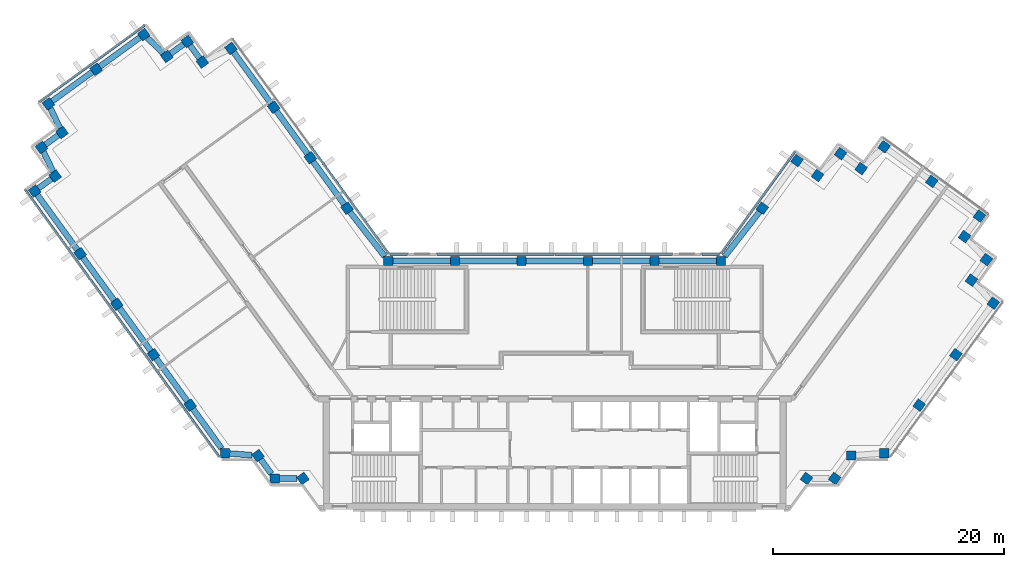
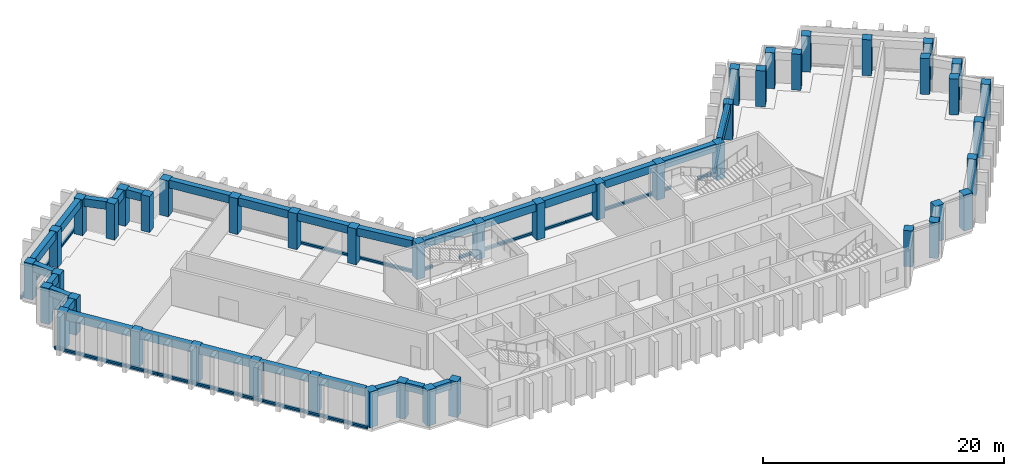
"""IFC4 building model written with IfcOpenShell, lengths in metres."""

from ifc_helpers import new_model, si_unit, direction, frame, origin, origin_2d, place, context, subcontext, project, spatial, rectangle, extrude, material, material_profile, profile_set, type_object, element, aggregate, save


model = new_model("IFC4")

# Units and contexts
model_context = context("Model", 3, precision=1e-05, world=origin(), true_north=direction((0.0, 1.0)))
body_context = subcontext(model_context, "Body", "Model", "MODEL_VIEW")
ifc_project = project(units=[si_unit("LENGTHUNIT", "METRE"), si_unit("AREAUNIT", "SQUARE_METRE"), si_unit("VOLUMEUNIT", "CUBIC_METRE"), si_unit("PLANEANGLEUNIT", "RADIAN"), si_unit("MASSUNIT", "GRAM", prefix="KILO")], contexts=[model_context])

# Site, building, storey
site_placement = place(None, origin())
site = spatial("IfcSite", under=ifc_project, at=site_placement, CompositionType="ELEMENT")
building_placement = place(site_placement, origin())
building = spatial("IfcBuilding", under=site, at=building_placement, Name="Quipu Civic Tower", CompositionType="ELEMENT")
storey_1_placement = place(building_placement, frame((0.0, 0.0, 218.0)))
storey_1 = spatial("IfcBuildingStorey", under=building, at=storey_1_placement, Name="L51", CompositionType="ELEMENT", Elevation=218.0)

# Columns
ifc_material_1 = material(Name="Concrete C50/60", Category="concrete")
ifc_material_profile_1 = material_profile(ifc_material_1, rectangle(XDim=0.800048828125, YDim=0.800048828125, at=origin_2d()), Name="RC800x800")
ifc_profile_set_1 = profile_set([ifc_material_profile_1], Name="Concrete C50/60")
column_type = type_object("IfcColumnType", Name="Perimeter column RC 800x800 C50/60", PredefinedType="COLUMN", material=ifc_profile_set_1)
for number, where, z_axis, x_axis, name in (
    (1, (-17.9736328125, 15.074951171875, 0.0), (0.0, 0.0, 1.0), (-0.587785252292, 0.809016994375, 0.0), "Column L51 W-IN-01"),
    (2, (-21.1474609375, 19.44384765625, 0.0), (0.0, 0.0, 1.0), (-0.587785252292, 0.809016994375, 0.0), "Column L51 W-IN-02"),
    (3, (-24.3212890625, 23.8125, 0.0), (0.0, 0.0, 1.0), (-0.587785252292, 0.809016994375, 0.0), "Column L51 W-IN-03"),
    (4, (-28.02001953125, 28.905029296875, 0.0), (0.0, 0.0, 1.0), (-0.809016994375, -0.587785252292, 0.0), "Column L51 T-Wi.0-W34"),
    (5, (-30.498779296875, 27.72265625, 0.0), (0.0, 0.0, 1.0), (-0.809016994375, -0.587785252292, 0.0), "Column L51 T-Wi.1-W34"),
    (6, (-31.794921875, 29.5, 0.0), (0.0, 0.0, 1.0), (-0.587785252292, 0.809016994375, 0.0), "Column L51 T-Wi.2-W34"),
    (7, (-33.573974609375, 28.20947265625, 0.0), (0.0, 0.0, 1.0), (-0.587785252292, 0.809016994375, 0.0), "Column L51 T-Wi.3-W34"),
    (8, (-35.56494140625, 30.10009765625, 0.0), (0.0, 0.0, 1.0), (-0.809016994375, -0.587785252292, 0.0), "Column L51 T-Wi.4-W34"),
    (9, (-39.690673828125, 27.10205078125, 0.0), (0.0, 0.0, 1.0), (-0.809016994375, -0.587785252292, 0.0), "Column L51 TIP-W-01-W34"),
    (10, (-43.81494140625, 24.10498046875, 0.0), (0.0, 0.0, 1.0), (-0.809016994375, -0.587785252292, 0.0), "Column L51 T-Wo.0-W34"),
    (11, (-42.635009765625, 21.626220703125, 0.0), (0.0, 0.0, 1.0), (-0.809016994375, -0.587785252292, 0.0), "Column L51 T-Wo.1-W34"),
    (12, (-44.4150390625, 20.3349609375, 0.0), (0.0, 0.0, 1.0), (0.587785252292, -0.809016994375, 0.0), "Column L51 T-Wo.2-W34"),
    (13, (-43.23095703125, 17.8544921875, 0.0), (0.0, 0.0, 1.0), (0.587785252292, -0.809016994375, 0.0), "Column L51 T-Wo.3-W34"),
    (14, (-45.010009765625, 16.56005859375, 0.0), (0.0, 0.0, 1.0), (0.587785252292, -0.809016994375, 0.0), "Column L51 T-Wo.4-W34"),
    (15, (-41.0703125, 11.137451171875, 0.0), (0.0, 0.0, 1.0), (0.587785252292, -0.809016994375, 0.0), "Column L51 W-OUT-04"),
    (16, (-37.896240234375, 6.768798828125, 0.0), (0.0, 0.0, 1.0), (0.587785252292, -0.809016994375, 0.0), "Column L51 W-OUT-03"),
    (17, (-34.722412109375, 2.39990234375, 0.0), (0.0, 0.0, 1.0), (0.587785252292, -0.809016994375, 0.0), "Column L51 W-OUT-02"),
    (18, (-31.54833984375, -1.96875, 0.0), (0.0, 0.0, 1.0), (0.587785252292, -0.809016994375, 0.0), "Column L51 W-OUT-01"),
    (19, (-28.52490234375, -6.1298828125, 0.0), (0.0, 0.0, 1.0), (1.0, 0.0, 0.0), "Column L51 J-Wo.0"),
    (20, (-25.67431640625, -6.3369140625, 0.0), (0.0, 0.0, 1.0), (0.587785252292, -0.809016994375, 0.0), "Column L51 J-Wo.1"),
    (21, (-24.235107421875, -8.31494140625, 0.0), (0.0, 0.0, 1.0), (1.0, 0.0, 0.0), "Column L51 J-Wo.2"),
    (22, (-21.791748046875, -8.31494140625, 0.0), (0.0, 0.0, 1.0), (0.587785252292, -0.809016994375, 0.0), "Column L51 J-Wo.3"),
    (23, (21.791748046875, -8.31494140625, 0.0), (0.0, 0.0, 1.0), (0.587785252292, 0.809016994375, 0.0), "Column L51 J-Eo.1"),
    (24, (24.235107421875, -8.31494140625, 0.0), (0.0, 0.0, 1.0), (0.587785252292, 0.809016994375, 0.0), "Column L51 J-Eo.2"),
    (25, (25.67431640625, -6.3369140625, 0.0), (0.0, 0.0, 1.0), (1.0, 0.0, 0.0), "Column L51 J-Eo.3"),
    (26, (28.52490234375, -6.1298828125, 0.0), (0.0, 0.0, 1.0), (1.0, 0.0, 0.0), "Column L51 J-Eo.4"),
    (27, (31.54833984375, -1.96875, 0.0), (0.0, 0.0, 1.0), (0.587785252292, 0.809016994375, 0.0), "Column L51 E-OUT-01"),
    (28, (34.722412109375, 2.39990234375, 0.0), (0.0, 0.0, 1.0), (0.587785252292, 0.809016994375, 0.0), "Column L51 E-OUT-02"),
    (29, (37.9599609375, 6.85498046875, 0.0), (0.0, 0.0, 1.0), (0.587785252292, 0.809016994375, 0.0), "Column L51 T-Eo.0-E22"),
    (30, (36.068115234375, 8.843994140625, 0.0), (0.0, 0.0, 1.0), (0.587785252292, 0.809016994375, 0.0), "Column L51 T-Eo.1-E22"),
    (31, (37.360107421875, 10.625, 0.0), (0.0, 0.0, 1.0), (0.587785252292, 0.809016994375, 0.0), "Column L51 T-Eo.2-E22"),
    (32, (35.470703125, 12.616455078125, 0.0), (0.0, 0.0, 1.0), (-0.809016994375, 0.587785252292, 0.0), "Column L51 T-Eo.3-E22"),
    (33, (36.764892578125, 14.39501953125, 0.0), (0.0, 0.0, 1.0), (-0.809016994375, 0.587785252292, 0.0), "Column L51 T-Eo.4-E22"),
    (34, (32.636962890625, 17.39306640625, 0.0), (0.0, 0.0, 1.0), (-0.809016994375, 0.587785252292, 0.0), "Column L51 TIP-E-01-E22"),
    (35, (28.510009765625, 20.389892578125, 0.0), (0.0, 0.0, 1.0), (-0.587785252292, -0.809016994375, 0.0), "Column L51 T-Ei.0-E22"),
    (36, (26.51904296875, 18.50048828125, 0.0), (0.0, 0.0, 1.0), (-0.809016994375, 0.587785252292, 0.0), "Column L51 T-Ei.1-E22"),
    (37, (24.739990234375, 19.794921875, 0.0), (0.0, 0.0, 1.0), (-0.587785252292, -0.809016994375, 0.0), "Column L51 T-Ei.2-E22"),
    (38, (22.749267578125, 17.904296875, 0.0), (0.0, 0.0, 1.0), (-0.587785252292, -0.809016994375, 0.0), "Column L51 T-Ei.3-E22"),
    (39, (20.969970703125, 19.195068359375, 0.0), (0.0, 0.0, 1.0), (-0.587785252292, -0.809016994375, 0.0), "Column L51 T-Ei.4-E22"),
    (40, (17.9736328125, 15.074951171875, 0.0), (0.0, 0.0, 1.0), (-0.587785252292, -0.809016994375, 0.0), "Column L51 E-IN-01"),
    (41, (14.395263671875, 10.5, 0.0), (0.0, 0.0, 1.0), (-1.0, 0.0, 0.0), "Column L51 J-Ei.0"),
    (42, (8.63720703125, 10.5, 0.0), (0.0, 0.0, 1.0), (-1.0, 0.0, 0.0), "Column L51 FRONT-01"),
    (43, (2.87890625, 10.5, 0.0), (0.0, 0.0, 1.0), (-1.0, 0.0, 0.0), "Column L51 FRONT-02"),
    (44, (-2.87890625, 10.5, 0.0), (0.0, 0.0, 1.0), (-1.0, 0.0, 0.0), "Column L51 FRONT-03"),
    (45, (-8.63720703125, 10.5, 0.0), (0.0, 0.0, 1.0), (-1.0, 0.0, 0.0), "Column L51 FRONT-04"),
    (46, (-14.395263671875, 10.5, 0.0), (0.0, 0.0, 1.0), (-1.0, 0.0, 0.0), "Column L51 J-Wi.0"),
):
    element("IfcColumn", number, at=place(storey_1_placement, frame(where, z_axis=z_axis, x_axis=x_axis)), inside=storey_1, type_object=column_type, Name=name, PredefinedType="COLUMN", context=body_context, shape_type="SweptSolid", body=[
        extrude(rectangle(XDim=0.800048828125, YDim=0.800048828125, at=origin_2d()), origin(), (0.0, 0.0, 1.0), 3.64990234375),
    ])

# Beams
ifc_material_2 = material(Name="Concrete C50/60", Category="concrete")
ifc_material_profile_2 = material_profile(ifc_material_2, rectangle(XDim=0.5, YDim=0.800048828125, at=origin_2d()), Name="RC500x800")
ifc_profile_set_2 = profile_set([ifc_material_profile_2], Name="Concrete C50/60")
beam_type = type_object("IfcBeamType", Name="Spandrel beam RC 500x800 C50/60", PredefinedType="SPANDREL", material=ifc_profile_set_2)
beam_1_placement = place(storey_1_placement, frame((-18.208740234375, 15.398681640625, 3.25), z_axis=(-0.58776136044, 0.809034352283, 0.0), x_axis=(-0.809034352283, -0.58776136044, 0.0)))
element("IfcBeam", 47, at=beam_1_placement, inside=storey_1, type_object=beam_type, Name="Spandrel beam L51 W-IN-01 to W-IN-02", PredefinedType="SPANDREL", context=body_context, shape_type="SweptSolid", body=[
    extrude(rectangle(XDim=0.5, YDim=0.800048828125, at=origin_2d()), origin(), (0.0, 0.0, 1.0), 4.599853515625),
])
beam_2_placement = place(storey_1_placement, frame((-21.382568359375, 19.767333984375, 3.25), z_axis=(-0.587736122681, 0.809052686848, 0.0), x_axis=(-0.809052686848, -0.587736122681, 0.0)))
element("IfcBeam", 48, at=beam_2_placement, inside=storey_1, type_object=beam_type, Name="Spandrel beam L51 W-IN-02 to W-IN-03", PredefinedType="SPANDREL", context=body_context, shape_type="SweptSolid", body=[
    extrude(rectangle(XDim=0.5, YDim=0.800048828125, at=origin_2d()), origin(), (0.0, 0.0, 1.0), 4.60009765625),
])
beam_3_placement = place(storey_1_placement, frame((-24.556396484375, 24.13623046875, 3.25), z_axis=(-0.587664254196, 0.809104890815, 0.0), x_axis=(-0.809104890815, -0.587664254196, 0.0)))
element("IfcBeam", 49, at=beam_3_placement, inside=storey_1, type_object=beam_type, Name="Spandrel beam L51 W-IN-03 to T-Wi.0-W34", PredefinedType="SPANDREL", context=body_context, shape_type="SweptSolid", body=[
    extrude(rectangle(XDim=0.5, YDim=0.800048828125, at=origin_2d()), origin(), (0.0, 0.0, 1.0), 5.493896484375),
])
beam_4_placement = place(storey_1_placement, frame((-30.734375, 28.0458984375, 3.25), z_axis=(-0.589342949835, 0.80788296645, 0.0), x_axis=(-0.80788296645, -0.589342949835, 0.0)))
element("IfcBeam", 50, at=beam_4_placement, inside=storey_1, type_object=beam_type, Name="Spandrel beam L51 T-Wi.1-W34 to T-Wi.2-W34", PredefinedType="SPANDREL", context=body_context, shape_type="SweptSolid", body=[
    extrude(rectangle(XDim=0.5, YDim=0.800048828125, at=origin_2d()), origin(), (0.0, 0.0, 1.0), 1.39990234375),
])
beam_5_placement = place(storey_1_placement, frame((-32.118896484375, 29.26513671875, 3.25), z_axis=(-0.80941533633, -0.587236590578, 0.0), x_axis=(0.587236590578, -0.80941533633, 0.0)))
element("IfcBeam", 51, at=beam_5_placement, inside=storey_1, type_object=beam_type, Name="Spandrel beam L51 T-Wi.2-W34 to T-Wi.3-W34", PredefinedType="SPANDREL", context=body_context, shape_type="SweptSolid", body=[
    extrude(rectangle(XDim=0.5, YDim=0.800048828125, at=origin_2d()), origin(), (0.0, 0.0, 1.0), 1.397705078125),
])
beam_6_placement = place(storey_1_placement, frame((-33.868896484375, 28.489501953125, 3.25), z_axis=(-0.72519185421, 0.68854685722, 0.0), x_axis=(-0.68854685722, -0.72519185421, 0.0)))
element("IfcBeam", 52, at=beam_6_placement, inside=storey_1, type_object=beam_type, Name="Spandrel beam L51 T-Wi.3-W34 to T-Wi.4-W34", PredefinedType="SPANDREL", context=body_context, shape_type="SweptSolid", body=[
    extrude(rectangle(XDim=0.5, YDim=0.800048828125, at=origin_2d()), origin(), (0.0, 0.0, 1.0), 1.93212890625),
])
beam_7_placement = place(storey_1_placement, frame((-35.888671875, 29.86474609375, 3.25), z_axis=(-0.808983997561, -0.58783066583, 0.0), x_axis=(0.58783066583, -0.808983997561, 0.0)))
element("IfcBeam", 53, at=beam_7_placement, inside=storey_1, type_object=beam_type, Name="Spandrel beam L51 T-Wi.4-W34 to TIP-W-01-W34", PredefinedType="SPANDREL", context=body_context, shape_type="SweptSolid", body=[
    extrude(rectangle(XDim=0.5, YDim=0.800048828125, at=origin_2d()), origin(), (0.0, 0.0, 1.0), 4.2998046875),
])
beam_8_placement = place(storey_1_placement, frame((-40.014404296875, 26.866943359375, 3.25), z_axis=(-0.808947267178, -0.587881211578, 0.0), x_axis=(0.587881211578, -0.808947267178, 0.0)))
element("IfcBeam", 54, at=beam_8_placement, inside=storey_1, type_object=beam_type, Name="Spandrel beam L51 TIP-W-01-W34 to T-Wo.0-W34", PredefinedType="SPANDREL", context=body_context, shape_type="SweptSolid", body=[
    extrude(rectangle(XDim=0.5, YDim=0.800048828125, at=origin_2d()), origin(), (0.0, 0.0, 1.0), 4.29833984375),
])
beam_9_placement = place(storey_1_placement, frame((-43.64013671875, 23.737548828125, 3.25), z_axis=(0.429889421342, -0.902881545618, 0.0), x_axis=(0.902881545618, 0.429889421342, 0.0)))
element("IfcBeam", 55, at=beam_9_placement, inside=storey_1, type_object=beam_type, Name="Spandrel beam L51 T-Wo.0-W34 to T-Wo.1-W34", PredefinedType="SPANDREL", context=body_context, shape_type="SweptSolid", body=[
    extrude(rectangle(XDim=0.5, YDim=0.800048828125, at=origin_2d()), origin(), (0.0, 0.0, 1.0), 1.931396484375),
])
beam_10_placement = place(storey_1_placement, frame((-42.958740234375, 21.391357421875, 3.25), z_axis=(-0.809467380413, -0.587164849125, 0.0), x_axis=(0.587164849125, -0.809467380413, 0.0)))
element("IfcBeam", 56, at=beam_10_placement, inside=storey_1, type_object=beam_type, Name="Spandrel beam L51 T-Wo.1-W34 to T-Wo.2-W34", PredefinedType="SPANDREL", context=body_context, shape_type="SweptSolid", body=[
    extrude(rectangle(XDim=0.5, YDim=0.800048828125, at=origin_2d()), origin(), (0.0, 0.0, 1.0), 1.399169921875),
])
beam_11_placement = place(storey_1_placement, frame((-44.23974609375, 19.9677734375, 3.25), z_axis=(0.430785642718, -0.902454281406, 0.0), x_axis=(0.902454281406, 0.430785642718, 0.0)))
element("IfcBeam", 57, at=beam_11_placement, inside=storey_1, type_object=beam_type, Name="Spandrel beam L51 T-Wo.2-W34 to T-Wo.3-W34", PredefinedType="SPANDREL", context=body_context, shape_type="SweptSolid", body=[
    extrude(rectangle(XDim=0.5, YDim=0.800048828125, at=origin_2d()), origin(), (0.0, 0.0, 1.0), 1.934814453125),
])
beam_12_placement = place(storey_1_placement, frame((-43.554443359375, 17.619140625, 3.25), z_axis=(-0.808600329101, -0.588358315805, 0.0), x_axis=(0.588358315805, -0.808600329101, 0.0)))
element("IfcBeam", 58, at=beam_12_placement, inside=storey_1, type_object=beam_type, Name="Spandrel beam L51 T-Wo.3-W34 to T-Wo.4-W34", PredefinedType="SPANDREL", context=body_context, shape_type="SweptSolid", body=[
    extrude(rectangle(XDim=0.5, YDim=0.800048828125, at=origin_2d()), origin(), (0.0, 0.0, 1.0), 1.400146484375),
])
beam_13_placement = place(storey_1_placement, frame((-44.77490234375, 16.236328125, 3.25), z_axis=(0.58780026889, -0.809006083965, 0.0), x_axis=(0.809006083965, 0.58780026889, 0.0)))
element("IfcBeam", 59, at=beam_13_placement, inside=storey_1, type_object=beam_type, Name="Spandrel beam L51 T-Wo.4-W34 to W-OUT-04", PredefinedType="SPANDREL", context=body_context, shape_type="SweptSolid", body=[
    extrude(rectangle(XDim=0.5, YDim=0.800048828125, at=origin_2d()), origin(), (0.0, 0.0, 1.0), 5.902587890625),
])
beam_14_placement = place(storey_1_placement, frame((-40.835205078125, 10.81396484375, 3.25), z_axis=(0.587770861189, -0.809027449928, 0.0), x_axis=(0.809027449928, 0.587770861189, 0.0)))
element("IfcBeam", 60, at=beam_14_placement, inside=storey_1, type_object=beam_type, Name="Spandrel beam L51 W-OUT-04 to W-OUT-03", PredefinedType="SPANDREL", context=body_context, shape_type="SweptSolid", body=[
    extrude(rectangle(XDim=0.5, YDim=0.800048828125, at=origin_2d()), origin(), (0.0, 0.0, 1.0), 4.60009765625),
])
beam_15_placement = place(storey_1_placement, frame((-37.6611328125, 6.445068359375, 3.25), z_axis=(0.58776136044, -0.809034352283, 0.0), x_axis=(0.809034352283, 0.58776136044, 0.0)))
element("IfcBeam", 61, at=beam_15_placement, inside=storey_1, type_object=beam_type, Name="Spandrel beam L51 W-OUT-03 to W-OUT-02", PredefinedType="SPANDREL", context=body_context, shape_type="SweptSolid", body=[
    extrude(rectangle(XDim=0.5, YDim=0.800048828125, at=origin_2d()), origin(), (0.0, 0.0, 1.0), 4.599853515625),
])
beam_16_placement = place(storey_1_placement, frame((-34.4873046875, 2.076416015625, 3.25), z_axis=(0.587796098864, -0.809009113768, 0.0), x_axis=(0.809009113768, 0.587796098864, 0.0)))
element("IfcBeam", 62, at=beam_16_placement, inside=storey_1, type_object=beam_type, Name="Spandrel beam L51 W-OUT-02 to W-OUT-01", PredefinedType="SPANDREL", context=body_context, shape_type="SweptSolid", body=[
    extrude(rectangle(XDim=0.5, YDim=0.800048828125, at=origin_2d()), origin(), (0.0, 0.0, 1.0), 4.60009765625),
])
beam_17_placement = place(storey_1_placement, frame((-31.313232421875, -2.292236328125, 3.25), z_axis=(0.58776850526, -0.809029161541, 0.0), x_axis=(0.809029161541, 0.58776850526, 0.0)))
element("IfcBeam", 63, at=beam_17_placement, inside=storey_1, type_object=beam_type, Name="Spandrel beam L51 W-OUT-01 to J-Wo.0", PredefinedType="SPANDREL", context=body_context, shape_type="SweptSolid", body=[
    extrude(rectangle(XDim=0.5, YDim=0.800048828125, at=origin_2d()), origin(), (0.0, 0.0, 1.0), 4.249267578125),
])
beam_18_placement = place(storey_1_placement, frame((-28.125, -6.158935546875, 3.25), z_axis=(0.997370796499, -0.072467194581, 0.0), x_axis=(0.072467194581, 0.997370796499, 0.0)))
element("IfcBeam", 64, at=beam_18_placement, inside=storey_1, type_object=beam_type, Name="Spandrel beam L51 J-Wo.0 to J-Wo.1", PredefinedType="SPANDREL", context=body_context, shape_type="SweptSolid", body=[
    extrude(rectangle(XDim=0.5, YDim=0.800048828125, at=origin_2d()), origin(), (0.0, 0.0, 1.0), 1.933837890625),
])
beam_19_placement = place(storey_1_placement, frame((-25.43896484375, -6.660400390625, 3.25), z_axis=(0.588330737135, -0.808620395329, 0.0), x_axis=(0.808620395329, 0.588330737135, 0.0)))
element("IfcBeam", 65, at=beam_19_placement, inside=storey_1, type_object=beam_type, Name="Spandrel beam L51 J-Wo.1 to J-Wo.2", PredefinedType="SPANDREL", context=body_context, shape_type="SweptSolid", body=[
    extrude(rectangle(XDim=0.5, YDim=0.800048828125, at=origin_2d()), origin(), (0.0, 0.0, 1.0), 1.551513671875),
])
beam_20_placement = place(storey_1_placement, frame((-23.8349609375, -8.31494140625, 3.25), z_axis=(1.0, 0.0, 0.0), x_axis=(0.0, 1.0, 0.0)))
element("IfcBeam", 66, at=beam_20_placement, inside=storey_1, type_object=beam_type, Name="Spandrel beam L51 J-Wo.2 to J-Wo.3", PredefinedType="SPANDREL", context=body_context, shape_type="SweptSolid", body=[
    extrude(rectangle(XDim=0.5, YDim=0.800048828125, at=origin_2d()), origin(), (0.0, 0.0, 1.0), 1.548828125),
])
beam_21_placement = place(storey_1_placement, frame((17.72705078125, 14.759765625, 3.25), z_axis=(-0.616090612932, -0.787675286306, 0.0), x_axis=(0.787675286306, -0.616090612932, 0.0)))
element("IfcBeam", 67, at=beam_21_placement, inside=storey_1, type_object=beam_type, Name="Spandrel beam L51 E-IN-01 to J-Ei.0", PredefinedType="SPANDREL", context=body_context, shape_type="SweptSolid", body=[
    extrude(rectangle(XDim=0.5, YDim=0.800048828125, at=origin_2d()), origin(), (0.0, 0.0, 1.0), 4.900390625),
])
for number, where, z_axis, x_axis, name in (
    (68, (13.9951171875, 10.5, 3.25), (-1.0, 0.0, 0.0), (0.0, -1.0, 0.0), "Spandrel beam L51 J-Ei.0 to FRONT-01"),
    (69, (8.237060546875, 10.5, 3.25), (-1.0, 0.0, 0.0), (0.0, -1.0, 0.0), "Spandrel beam L51 FRONT-01 to FRONT-02"),
    (70, (2.47900390625, 10.5, 3.25), (-1.0, 0.0, 0.0), (0.0, -1.0, 0.0), "Spandrel beam L51 FRONT-02 to FRONT-03"),
    (71, (-3.279052734375, 10.5, 3.25), (-1.0, 0.0, 0.0), (0.0, -1.0, 0.0), "Spandrel beam L51 FRONT-03 to FRONT-04"),
    (72, (-9.037109375, 10.5, 3.25), (-1.0, 0.0, 0.0), (0.0, -1.0, 0.0), "Spandrel beam L51 FRONT-04 to J-Wi.0"),
):
    element("IfcBeam", number, at=place(storey_1_placement, frame(where, z_axis=z_axis, x_axis=x_axis)), inside=storey_1, type_object=beam_type, Name=name, PredefinedType="SPANDREL", context=body_context, shape_type="SweptSolid", body=[
        extrude(rectangle(XDim=0.5, YDim=0.800048828125, at=origin_2d()), origin(), (0.0, 0.0, 1.0), 4.9580078125),
    ])
beam_22_placement = place(storey_1_placement, frame((-14.7080078125, 10.89990234375, 3.25), z_axis=(-0.616090612932, 0.787675286306, 0.0), x_axis=(-0.787675286306, -0.616090612932, 0.0)))
element("IfcBeam", 73, at=beam_22_placement, inside=storey_1, type_object=beam_type, Name="Spandrel beam L51 J-Wi.0 to W-IN-01", PredefinedType="SPANDREL", context=body_context, shape_type="SweptSolid", body=[
    extrude(rectangle(XDim=0.5, YDim=0.800048828125, at=origin_2d()), origin(), (0.0, 0.0, 1.0), 4.900390625),
])

# Storey
storey_2_placement = place(building_placement, frame((0.0, 0.0, 210.0)))
storey_2 = spatial("IfcBuildingStorey", under=building, at=storey_2_placement, Name="L49", CompositionType="ELEMENT", Elevation=210.0)

# Curtain wall, member
ifc_material_3 = material(Name="Insulated glass unit", Category="glass")
curtain_wall_type = type_object("IfcCurtainWallType", Name="Office curtain wall CW1", PredefinedType="NOTDEFINED", material=ifc_material_3)
curtain_wall_1_placement = place(storey_2_placement, origin())
curtain_wall_1 = element("IfcCurtainWall", 74, at=curtain_wall_1_placement, inside=storey_2, type_object=curtain_wall_type, Name="Office curtain wall CW1 L48 run 8", PredefinedType="NOTDEFINED")
ifc_material_4 = material(Name="Anodised aluminium", Category="aluminium")
ifc_material_profile_3 = material_profile(ifc_material_4, rectangle(XDim=0.199951171875, YDim=0.159912109375, at=origin_2d()), Name="RECT 200x160")
ifc_profile_set_3 = profile_set([ifc_material_profile_3], Name="Anodised aluminium")
member_type = type_object("IfcMemberType", Name="Transom CW1", PredefinedType="USERDEFINED", material=ifc_profile_set_3)
member_1_placement = place(storey_1_placement, frame((-14.39111328125, 11.164794921875, 0.0), z_axis=(-0.587799878401, 0.809006367683, 0.0), x_axis=(-0.809006367683, -0.587799878401, 0.0)))
member_1 = element("IfcMember", 75, at=member_1_placement, inside=storey_1, type_object=member_type, Name="CW1 transom 1.4", ObjectType="TRANSOM", PredefinedType="USERDEFINED", context=body_context, shape_type="SweptSolid", body=[
    extrude(rectangle(XDim=0.199951171875, YDim=0.159912109375, at=origin_2d()), origin(), (0.0, 0.0, 1.0), 11.402099609375),
])
aggregate(curtain_wall_1, [member_1])

curtain_wall_2_placement = place(storey_2_placement, origin())
curtain_wall_2 = element("IfcCurtainWall", 76, at=curtain_wall_2_placement, inside=storey_2, type_object=curtain_wall_type, Name="Office curtain wall CW1 L48 run 13", PredefinedType="NOTDEFINED")
member_2_placement = place(storey_1_placement, frame((-35.496826171875, 30.890869140625, 0.0), z_axis=(-0.809014959561, -0.587788052963, 0.0), x_axis=(0.587788052963, -0.809014959561, 0.0)))
member_2 = element("IfcMember", 77, at=member_2_placement, inside=storey_1, type_object=member_type, Name="CW1 transom 1.4", ObjectType="TRANSOM", PredefinedType="USERDEFINED", context=body_context, shape_type="SweptSolid", body=[
    extrude(rectangle(XDim=0.199951171875, YDim=0.159912109375, at=origin_2d()), origin(), (0.0, 0.0, 1.0), 11.239990234375),
])
aggregate(curtain_wall_2, [member_2])

# Curtain wall, members
curtain_wall_3_placement = place(storey_2_placement, origin())
curtain_wall_3 = element("IfcCurtainWall", 78, at=curtain_wall_3_placement, inside=storey_2, type_object=curtain_wall_type, Name="Office curtain wall CW1 L48 run 18", PredefinedType="NOTDEFINED")
member_3_placement = place(storey_1_placement, frame((-45.802490234375, 16.629638671875, 0.0), z_axis=(0.587783783239, -0.809018061703, 0.0), x_axis=(0.809018061703, 0.587783783239, 0.0)))
member_3 = element("IfcMember", 79, at=member_3_placement, inside=storey_1, type_object=member_type, Name="CW1 transom 1.4", ObjectType="TRANSOM", PredefinedType="USERDEFINED", context=body_context, shape_type="SweptSolid", body=[
    extrude(rectangle(XDim=0.199951171875, YDim=0.159912109375, at=origin_2d()), origin(), (0.0, 0.0, 1.0), 9.431884765625),
])
member_4_placement = place(storey_1_placement, frame((-40.21142578125, 8.934326171875, 0.0), z_axis=(0.587773158676, -0.809025780763, 0.0), x_axis=(0.809025780763, 0.587773158676, 0.0)))
member_4 = element("IfcMember", 80, at=member_4_placement, inside=storey_1, type_object=member_type, Name="CW1 transom 2.4", ObjectType="TRANSOM", PredefinedType="USERDEFINED", context=body_context, shape_type="SweptSolid", body=[
    extrude(rectangle(XDim=0.199951171875, YDim=0.159912109375, at=origin_2d()), origin(), (0.0, 0.0, 1.0), 9.471923828125),
])
member_5_placement = place(storey_1_placement, frame((-34.596923828125, 1.20654296875, 0.0), z_axis=(0.587783783239, -0.809018061703, 0.0), x_axis=(0.809018061703, 0.587783783239, 0.0)))
member_5 = element("IfcMember", 81, at=member_5_placement, inside=storey_1, type_object=member_type, Name="CW1 transom 3.4", ObjectType="TRANSOM", PredefinedType="USERDEFINED", context=body_context, shape_type="SweptSolid", body=[
    extrude(rectangle(XDim=0.199951171875, YDim=0.159912109375, at=origin_2d()), origin(), (0.0, 0.0, 1.0), 9.431884765625),
])
aggregate(curtain_wall_3, [member_3, member_4, member_5])

# Curtain wall, member
curtain_wall_4_placement = place(storey_2_placement, origin())
curtain_wall_4 = element("IfcCurtainWall", 82, at=curtain_wall_4_placement, inside=storey_2, type_object=curtain_wall_type, Name="Office curtain wall CW1 L48 run 33", PredefinedType="NOTDEFINED")
member_6_placement = place(storey_1_placement, frame((20.788818359375, 19.97021484375, 0.0), z_axis=(-0.587796859727, -0.809008560953, 0.0), x_axis=(0.809008560953, -0.587796859727, 0.0)))
member_6 = element("IfcMember", 83, at=member_6_placement, inside=storey_1, type_object=member_type, Name="CW1 transom 1.4", ObjectType="TRANSOM", PredefinedType="USERDEFINED", context=body_context, shape_type="SweptSolid", body=[
    extrude(rectangle(XDim=0.199951171875, YDim=0.159912109375, at=origin_2d()), origin(), (0.0, 0.0, 1.0), 10.88427734375),
])
aggregate(curtain_wall_4, [member_6])

curtain_wall_5_placement = place(storey_2_placement, origin())
curtain_wall_5 = element("IfcCurtainWall", 84, at=curtain_wall_5_placement, inside=storey_2, type_object=curtain_wall_type, Name="Office curtain wall CW1 L48 run 34", PredefinedType="NOTDEFINED")
member_7_placement = place(storey_1_placement, frame((14.26416015625, 11.10009765625, 0.0), z_axis=(-1.0, 0.0, 0.0), x_axis=(0.0, -1.0, 0.0)))
member_7 = element("IfcMember", 85, at=member_7_placement, inside=storey_1, type_object=member_type, Name="CW1 transom 1.4", ObjectType="TRANSOM", PredefinedType="USERDEFINED", context=body_context, shape_type="SweptSolid", body=[
    extrude(rectangle(XDim=0.199951171875, YDim=0.159912109375, at=origin_2d()), origin(), (0.0, 0.0, 1.0), 1.529052734375),
])
aggregate(curtain_wall_5, [member_7])

# Curtain wall, members
curtain_wall_6_placement = place(storey_2_placement, origin())
curtain_wall_6 = element("IfcCurtainWall", 86, at=curtain_wall_6_placement, inside=storey_2, type_object=curtain_wall_type, Name="Office curtain wall CW1 L48 run 36", PredefinedType="NOTDEFINED")
member_8_placement = place(storey_1_placement, frame((10.18359375, 11.10009765625, 0.0), z_axis=(-1.0, 0.0, 0.0), x_axis=(0.0, -1.0, 0.0)))
member_8 = element("IfcMember", 87, at=member_8_placement, inside=storey_1, type_object=member_type, Name="CW1 transom 1.4", ObjectType="TRANSOM", PredefinedType="USERDEFINED", context=body_context, shape_type="SweptSolid", body=[
    extrude(rectangle(XDim=0.199951171875, YDim=0.159912109375, at=origin_2d()), origin(), (0.0, 0.0, 1.0), 10.1435546875),
])
member_9_placement = place(storey_1_placement, frame((-0.0400390625, 11.10009765625, 0.0), z_axis=(-1.0, 0.0, 0.0), x_axis=(0.0, -1.0, 0.0)))
member_9 = element("IfcMember", 88, at=member_9_placement, inside=storey_1, type_object=member_type, Name="CW1 transom 2.4", ObjectType="TRANSOM", PredefinedType="USERDEFINED", context=body_context, shape_type="SweptSolid", body=[
    extrude(rectangle(XDim=0.199951171875, YDim=0.159912109375, at=origin_2d()), origin(), (0.0, 0.0, 1.0), 10.1435546875),
])
aggregate(curtain_wall_6, [member_8, member_9])

# Curtain wall, member
curtain_wall_7_placement = place(storey_2_placement, origin())
curtain_wall_7 = element("IfcCurtainWall", 89, at=curtain_wall_7_placement, inside=storey_2, type_object=curtain_wall_type, Name="Office curtain wall CW1 L48 run 38", PredefinedType="NOTDEFINED")
member_10_placement = place(storey_1_placement, frame((-12.735107421875, 11.10009765625, 0.0), z_axis=(-1.0, 0.0, 0.0), x_axis=(0.0, -1.0, 0.0)))
member_10 = element("IfcMember", 90, at=member_10_placement, inside=storey_1, type_object=member_type, Name="CW1 transom 1.4", ObjectType="TRANSOM", PredefinedType="USERDEFINED", context=body_context, shape_type="SweptSolid", body=[
    extrude(rectangle(XDim=0.199951171875, YDim=0.159912109375, at=origin_2d()), origin(), (0.0, 0.0, 1.0), 1.529052734375),
])
aggregate(curtain_wall_7, [member_10])

# Storey
storey_3_placement = place(building_placement, frame((0.0, 0.0, 222.0)))
storey_3 = spatial("IfcBuildingStorey", under=building, at=storey_3_placement, Name="L52", CompositionType="ELEMENT", Elevation=222.0)

# Curtain wall, member
curtain_wall_8_placement = place(storey_3_placement, origin())
curtain_wall_8 = element("IfcCurtainWall", 91, at=curtain_wall_8_placement, inside=storey_3, type_object=curtain_wall_type, Name="Office curtain wall CW1 L51 run 1", PredefinedType="NOTDEFINED")
member_11_placement = place(storey_1_placement, frame((-14.39111328125, 11.164794921875, 0.159912109375), z_axis=(-0.587799878401, 0.809006367683, 0.0), x_axis=(-0.809006367683, -0.587799878401, 0.0)))
member_11 = element("IfcMember", 92, at=member_11_placement, inside=storey_1, type_object=member_type, Name="CW1 transom 1.1", ObjectType="TRANSOM", PredefinedType="USERDEFINED", context=body_context, shape_type="SweptSolid", body=[
    extrude(rectangle(XDim=0.199951171875, YDim=0.159912109375, at=origin_2d()), origin(), (0.0, 0.0, 1.0), 11.402099609375),
])
aggregate(curtain_wall_8, [member_11])

curtain_wall_9_placement = place(storey_3_placement, origin())
curtain_wall_9 = element("IfcCurtainWall", 93, at=curtain_wall_9_placement, inside=storey_3, type_object=curtain_wall_type, Name="Office curtain wall CW1 L51 run 6", PredefinedType="NOTDEFINED")
member_12_placement = place(storey_1_placement, frame((-35.496826171875, 30.890869140625, 0.159912109375), z_axis=(-0.809014959561, -0.587788052963, 0.0), x_axis=(0.587788052963, -0.809014959561, 0.0)))
member_12 = element("IfcMember", 94, at=member_12_placement, inside=storey_1, type_object=member_type, Name="CW1 transom 1.1", ObjectType="TRANSOM", PredefinedType="USERDEFINED", context=body_context, shape_type="SweptSolid", body=[
    extrude(rectangle(XDim=0.199951171875, YDim=0.159912109375, at=origin_2d()), origin(), (0.0, 0.0, 1.0), 11.239990234375),
])
aggregate(curtain_wall_9, [member_12])

# Curtain wall, members
curtain_wall_10_placement = place(storey_3_placement, origin())
curtain_wall_10 = element("IfcCurtainWall", 95, at=curtain_wall_10_placement, inside=storey_3, type_object=curtain_wall_type, Name="Office curtain wall CW1 L51 run 11", PredefinedType="NOTDEFINED")
member_13_placement = place(storey_1_placement, frame((-45.802490234375, 16.629638671875, 0.159912109375), z_axis=(0.587783783239, -0.809018061703, 0.0), x_axis=(0.809018061703, 0.587783783239, 0.0)))
member_13 = element("IfcMember", 96, at=member_13_placement, inside=storey_1, type_object=member_type, Name="CW1 transom 1.1", ObjectType="TRANSOM", PredefinedType="USERDEFINED", context=body_context, shape_type="SweptSolid", body=[
    extrude(rectangle(XDim=0.199951171875, YDim=0.159912109375, at=origin_2d()), origin(), (0.0, 0.0, 1.0), 9.431884765625),
])
member_14_placement = place(storey_1_placement, frame((-40.21142578125, 8.934326171875, 0.159912109375), z_axis=(0.587773158676, -0.809025780763, 0.0), x_axis=(0.809025780763, 0.587773158676, 0.0)))
member_14 = element("IfcMember", 97, at=member_14_placement, inside=storey_1, type_object=member_type, Name="CW1 transom 2.1", ObjectType="TRANSOM", PredefinedType="USERDEFINED", context=body_context, shape_type="SweptSolid", body=[
    extrude(rectangle(XDim=0.199951171875, YDim=0.159912109375, at=origin_2d()), origin(), (0.0, 0.0, 1.0), 9.471923828125),
])
member_15_placement = place(storey_1_placement, frame((-34.596923828125, 1.20654296875, 0.159912109375), z_axis=(0.587783783239, -0.809018061703, 0.0), x_axis=(0.809018061703, 0.587783783239, 0.0)))
member_15 = element("IfcMember", 98, at=member_15_placement, inside=storey_1, type_object=member_type, Name="CW1 transom 3.1", ObjectType="TRANSOM", PredefinedType="USERDEFINED", context=body_context, shape_type="SweptSolid", body=[
    extrude(rectangle(XDim=0.199951171875, YDim=0.159912109375, at=origin_2d()), origin(), (0.0, 0.0, 1.0), 9.431884765625),
])
aggregate(curtain_wall_10, [member_13, member_14, member_15])

# Curtain wall, member
curtain_wall_11_placement = place(storey_3_placement, origin())
curtain_wall_11 = element("IfcCurtainWall", 99, at=curtain_wall_11_placement, inside=storey_3, type_object=curtain_wall_type, Name="Office curtain wall CW1 L51 run 26", PredefinedType="NOTDEFINED")
member_16_placement = place(storey_1_placement, frame((20.788818359375, 19.97021484375, 0.159912109375), z_axis=(-0.587796859727, -0.809008560953, 0.0), x_axis=(0.809008560953, -0.587796859727, 0.0)))
member_16 = element("IfcMember", 100, at=member_16_placement, inside=storey_1, type_object=member_type, Name="CW1 transom 1.1", ObjectType="TRANSOM", PredefinedType="USERDEFINED", context=body_context, shape_type="SweptSolid", body=[
    extrude(rectangle(XDim=0.199951171875, YDim=0.159912109375, at=origin_2d()), origin(), (0.0, 0.0, 1.0), 10.88427734375),
])
aggregate(curtain_wall_11, [member_16])

curtain_wall_12_placement = place(storey_3_placement, origin())
curtain_wall_12 = element("IfcCurtainWall", 101, at=curtain_wall_12_placement, inside=storey_3, type_object=curtain_wall_type, Name="Office curtain wall CW1 L51 run 27", PredefinedType="NOTDEFINED")
member_17_placement = place(storey_1_placement, frame((14.26416015625, 11.10009765625, 0.159912109375), z_axis=(-1.0, 0.0, 0.0), x_axis=(0.0, -1.0, 0.0)))
member_17 = element("IfcMember", 102, at=member_17_placement, inside=storey_1, type_object=member_type, Name="CW1 transom 1.1", ObjectType="TRANSOM", PredefinedType="USERDEFINED", context=body_context, shape_type="SweptSolid", body=[
    extrude(rectangle(XDim=0.199951171875, YDim=0.159912109375, at=origin_2d()), origin(), (0.0, 0.0, 1.0), 1.529052734375),
])
aggregate(curtain_wall_12, [member_17])

# Curtain wall, members
curtain_wall_13_placement = place(storey_3_placement, origin())
curtain_wall_13 = element("IfcCurtainWall", 103, at=curtain_wall_13_placement, inside=storey_3, type_object=curtain_wall_type, Name="Office curtain wall CW1 L51 run 29", PredefinedType="NOTDEFINED")
member_18_placement = place(storey_1_placement, frame((10.18359375, 11.10009765625, 0.159912109375), z_axis=(-1.0, 0.0, 0.0), x_axis=(0.0, -1.0, 0.0)))
member_18 = element("IfcMember", 104, at=member_18_placement, inside=storey_1, type_object=member_type, Name="CW1 transom 1.1", ObjectType="TRANSOM", PredefinedType="USERDEFINED", context=body_context, shape_type="SweptSolid", body=[
    extrude(rectangle(XDim=0.199951171875, YDim=0.159912109375, at=origin_2d()), origin(), (0.0, 0.0, 1.0), 10.1435546875),
])
member_19_placement = place(storey_1_placement, frame((-0.0400390625, 11.10009765625, 0.159912109375), z_axis=(-1.0, 0.0, 0.0), x_axis=(0.0, -1.0, 0.0)))
member_19 = element("IfcMember", 105, at=member_19_placement, inside=storey_1, type_object=member_type, Name="CW1 transom 2.1", ObjectType="TRANSOM", PredefinedType="USERDEFINED", context=body_context, shape_type="SweptSolid", body=[
    extrude(rectangle(XDim=0.199951171875, YDim=0.159912109375, at=origin_2d()), origin(), (0.0, 0.0, 1.0), 10.1435546875),
])
aggregate(curtain_wall_13, [member_18, member_19])

# Curtain wall, member
curtain_wall_14_placement = place(storey_3_placement, origin())
curtain_wall_14 = element("IfcCurtainWall", 106, at=curtain_wall_14_placement, inside=storey_3, type_object=curtain_wall_type, Name="Office curtain wall CW1 L51 run 31", PredefinedType="NOTDEFINED")
member_20_placement = place(storey_1_placement, frame((-12.735107421875, 11.10009765625, 0.159912109375), z_axis=(-1.0, 0.0, 0.0), x_axis=(0.0, -1.0, 0.0)))
member_20 = element("IfcMember", 107, at=member_20_placement, inside=storey_1, type_object=member_type, Name="CW1 transom 1.1", ObjectType="TRANSOM", PredefinedType="USERDEFINED", context=body_context, shape_type="SweptSolid", body=[
    extrude(rectangle(XDim=0.199951171875, YDim=0.159912109375, at=origin_2d()), origin(), (0.0, 0.0, 1.0), 1.529052734375),
])
aggregate(curtain_wall_14, [member_20])

save(model, "model.ifc")
